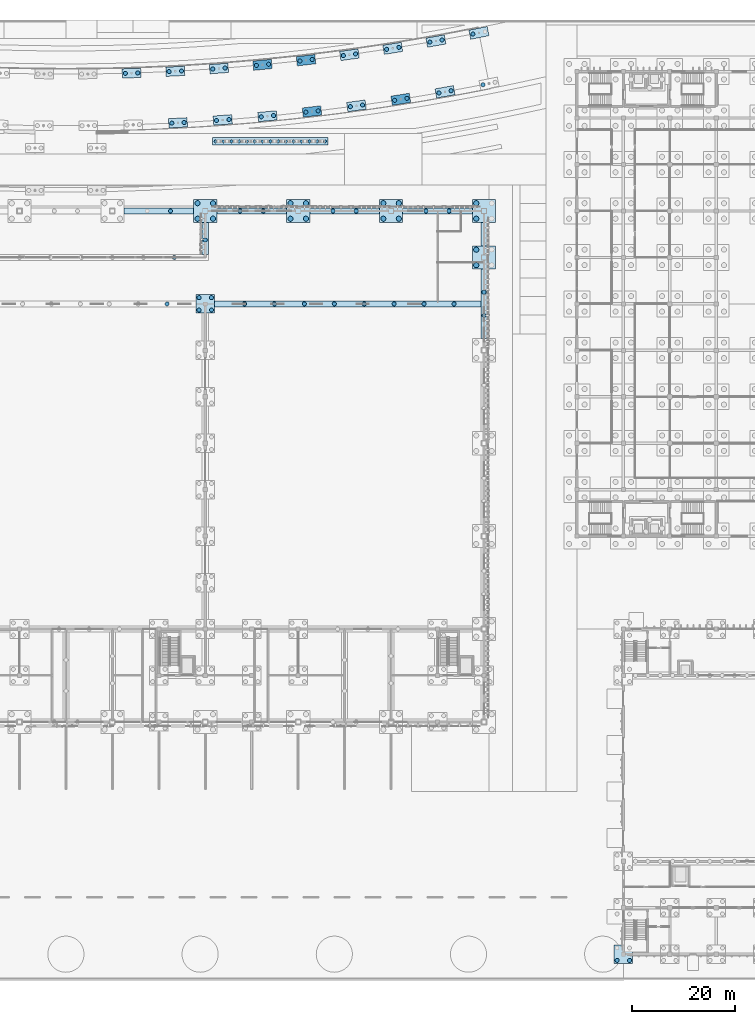
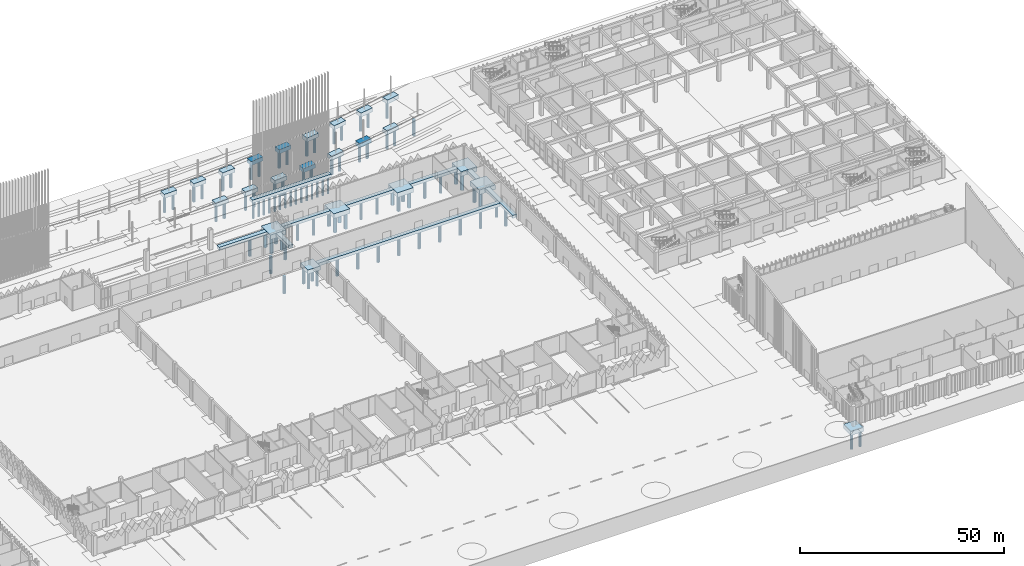
# One storey, part 12 of 198: 89 piles, 32 footings.
"""IFC4 building model written with IfcOpenShell, lengths in metres."""

from ifc_helpers import new_model, si_unit, direction, frame, origin, origin_2d, place, context, subcontext, project, spatial, polyline, circle, outline, extrude, material, layer, layer_set, material_profile, profile_set, type_object, element, save


model = new_model("IFC4")

# Units and contexts
model_context = context("Model", 3, precision=1e-05, world=origin(), true_north=direction((0.0, 1.0)))
body_context = subcontext(model_context, "Body", "Model", "MODEL_VIEW")
ifc_project = project(units=[si_unit("LENGTHUNIT", "METRE"), si_unit("AREAUNIT", "SQUARE_METRE"), si_unit("VOLUMEUNIT", "CUBIC_METRE"), si_unit("PLANEANGLEUNIT", "RADIAN"), si_unit("MASSUNIT", "GRAM", prefix="KILO")], contexts=[model_context])

# Site, building, storey
site_placement = place(None, origin())
site = spatial("IfcSite", under=ifc_project, at=site_placement, CompositionType="ELEMENT")
building_placement = place(site_placement, origin())
building = spatial("IfcBuilding", under=site, at=building_placement, Name="Opaline Strait Convention Centre", CompositionType="ELEMENT")
storey_placement = place(building_placement, origin())
storey = spatial("IfcBuildingStorey", under=building, at=storey_placement, Name="L00", CompositionType="ELEMENT", Elevation=0.0)

# Piles
ifc_material_1 = material(Name="Concrete C35", Category="concrete")
ifc_material_profile_1 = material_profile(ifc_material_1, circle(Radius=0.5, at=origin_2d()), Name="D1000")
ifc_profile_set_1 = profile_set([ifc_material_profile_1], Name="Concrete C35")
pile_type_1 = type_object("IfcPileType", Name="Bored pile D1000 C35", PredefinedType="BORED", material=ifc_profile_set_1)
for number, where, z_axis, x_axis, name in (
    (1, (205.5, 151.5, -1.300048828125), (0.0, 0.0, -1.0), (1.0, 0.0, 0.0), "Bored pile of cap 207/153"),
    (2, (205.5, 154.5, -1.300048828125), (0.0, 0.0, -1.0), (1.0, 0.0, 0.0), "Bored pile of cap 207/153"),
    (3, (208.5, 151.5, -1.300048828125), (0.0, 0.0, -1.0), (1.0, 0.0, 0.0), "Bored pile of cap 207/153"),
    (4, (208.5, 154.5, -1.300048828125), (0.0, 0.0, -1.0), (1.0, 0.0, 0.0), "Bored pile of cap 207/153"),
    (5, (223.5, 151.5, -1.300048828125), (0.0, 0.0, -1.0), (1.0, 0.0, 0.0), "Bored pile of cap 225/153"),
    (6, (223.5, 154.5, -1.300048828125), (0.0, 0.0, -1.0), (1.0, 0.0, 0.0), "Bored pile of cap 225/153"),
    (7, (226.5, 151.5, -1.300048828125), (0.0, 0.0, -1.0), (1.0, 0.0, 0.0), "Bored pile of cap 225/153"),
    (8, (226.5, 154.5, -1.300048828125), (0.0, 0.0, -1.0), (1.0, 0.0, 0.0), "Bored pile of cap 225/153"),
    (9, (241.5, 151.5, -1.300048828125), (0.0, 0.0, -1.0), (1.0, 0.0, 0.0), "Bored pile of cap 243/153"),
    (10, (241.5, 154.5, -1.300048828125), (0.0, 0.0, -1.0), (1.0, 0.0, 0.0), "Bored pile of cap 243/153"),
    (11, (244.5, 151.5, -1.300048828125), (0.0, 0.0, -1.0), (1.0, 0.0, 0.0), "Bored pile of cap 243/153"),
    (12, (244.5, 154.5, -1.300048828125), (0.0, 0.0, -1.0), (1.0, 0.0, 0.0), "Bored pile of cap 243/153"),
    (13, (259.5, 142.5, -1.300048828125), (0.0, 0.0, -1.0), (1.0, 0.0, 0.0), "Bored pile of cap 261/144"),
    (14, (259.5, 145.5, -1.300048828125), (0.0, 0.0, -1.0), (1.0, 0.0, 0.0), "Bored pile of cap 261/144"),
    (15, (259.5, 151.5, -1.300048828125), (0.0, 0.0, -1.0), (1.0, 0.0, 0.0), "Bored pile of cap 261/153"),
    (16, (259.5, 154.5, -1.300048828125), (0.0, 0.0, -1.0), (1.0, 0.0, 0.0), "Bored pile of cap 261/153"),
):
    element("IfcPile", number, at=place(storey_placement, frame(where, z_axis=z_axis, x_axis=x_axis)), inside=storey, type_object=pile_type_1, Name=name, PredefinedType="BORED", context=body_context, shape_type="SweptSolid", body=[
        extrude(circle(Radius=0.5, at=origin_2d()), origin(), (0.0, 0.0, 1.0), 4.699951171875),
    ])
ifc_material_profile_2 = material_profile(ifc_material_1, circle(Radius=0.300048828125, at=origin_2d()), Name="D600")
ifc_profile_set_2 = profile_set([ifc_material_profile_2], Name="Concrete C35")
pile_type_2 = type_object("IfcPileType", Name="Bored pile D600 L5.2 Concrete C35", PredefinedType="BORED", material=ifc_profile_set_2)
for number, where, z_axis, x_axis, name in (
    (17, (209.02001953125, 166.5, -0.800048828125), (0.0, 0.0, -1.0), (1.0, 0.0, 0.0), "Portal pile 1 of cap E"),
    (18, (210.531494140625, 166.5, -0.800048828125), (0.0, 0.0, -1.0), (1.0, 0.0, 0.0), "Portal pile 2 of cap E"),
    (19, (212.04296875, 166.5, -0.800048828125), (0.0, 0.0, -1.0), (1.0, 0.0, 0.0), "Portal pile 3 of cap E"),
    (20, (213.55419921875, 166.5, -0.800048828125), (0.0, 0.0, -1.0), (1.0, 0.0, 0.0), "Portal pile 4 of cap E"),
    (21, (215.065673828125, 166.5, -0.800048828125), (0.0, 0.0, -1.0), (1.0, 0.0, 0.0), "Portal pile 5 of cap E"),
    (22, (216.5771484375, 166.5, -0.800048828125), (0.0, 0.0, -1.0), (1.0, 0.0, 0.0), "Portal pile 6 of cap E"),
    (23, (218.088623046875, 166.5, -0.800048828125), (0.0, 0.0, -1.0), (1.0, 0.0, 0.0), "Portal pile 7 of cap E"),
    (24, (219.60009765625, 166.5, -0.800048828125), (0.0, 0.0, -1.0), (1.0, 0.0, 0.0), "Portal pile 8 of cap E"),
    (25, (221.111328125, 166.5, -0.800048828125), (0.0, 0.0, -1.0), (1.0, 0.0, 0.0), "Portal pile 9 of cap E"),
    (26, (222.622802734375, 166.5, -0.800048828125), (0.0, 0.0, -1.0), (1.0, 0.0, 0.0), "Portal pile 10 of cap E"),
    (27, (224.13427734375, 166.5, -0.800048828125), (0.0, 0.0, -1.0), (1.0, 0.0, 0.0), "Portal pile 11 of cap E"),
    (28, (225.645751953125, 166.5, -0.800048828125), (0.0, 0.0, -1.0), (1.0, 0.0, 0.0), "Portal pile 12 of cap E"),
    (29, (227.1572265625, 166.5, -0.800048828125), (0.0, 0.0, -1.0), (1.0, 0.0, 0.0), "Portal pile 13 of cap E"),
    (30, (228.66845703125, 166.5, -0.800048828125), (0.0, 0.0, -1.0), (1.0, 0.0, 0.0), "Portal pile 14 of cap E"),
    (31, (230.179931640625, 166.5, -0.800048828125), (0.0, 0.0, -1.0), (1.0, 0.0, 0.0), "Portal pile 15 of cap E"),
):
    element("IfcPile", number, at=place(storey_placement, frame(where, z_axis=z_axis, x_axis=x_axis)), inside=storey, type_object=pile_type_2, Name=name, PredefinedType="BORED", context=body_context, shape_type="SweptSolid", body=[
        extrude(circle(Radius=0.300048828125, at=origin_2d()), origin(), (0.0, 0.0, 1.0), 5.199951171875),
    ])
ifc_material_profile_3 = material_profile(ifc_material_1, circle(Radius=0.39990234375, at=origin_2d()), Name="D800")
ifc_profile_set_3 = profile_set([ifc_material_profile_3], Name="Concrete C35")
pile_type_3 = type_object("IfcPileType", Name="Bored pile D800 C35", PredefinedType="BORED", material=ifc_profile_set_3)
for number, where, z_axis, x_axis, name in (
    (32, (205.800048828125, 133.800048828125, -1.10009765625), (0.0, 0.0, -1.0), (1.0, 0.0, 0.0), "Bored pile of cap 207/135"),
    (33, (205.800048828125, 136.199951171875, -1.10009765625), (0.0, 0.0, -1.0), (1.0, 0.0, 0.0), "Bored pile of cap 207/135"),
    (34, (208.199951171875, 133.800048828125, -1.10009765625), (0.0, 0.0, -1.0), (1.0, 0.0, 0.0), "Bored pile of cap 207/135"),
    (35, (208.199951171875, 136.199951171875, -1.10009765625), (0.0, 0.0, -1.0), (1.0, 0.0, 0.0), "Bored pile of cap 207/135"),
):
    element("IfcPile", number, at=place(storey_placement, frame(where, z_axis=z_axis, x_axis=x_axis)), inside=storey, type_object=pile_type_3, Name=name, PredefinedType="BORED", context=body_context, shape_type="SweptSolid", body=[
        extrude(circle(Radius=0.39990234375, at=origin_2d()), origin(), (0.0, 0.0, 1.0), 4.89990234375),
    ])
for number, where, z_axis, x_axis, name in (
    (36, (200.25, 153.0, -0.800048828125), (0.0, 0.0, -1.0), (1.0, 0.0, 0.0), "Bored pile under pile cap beam 21"),
    (37, (213.75, 153.0, -0.800048828125), (0.0, 0.0, -1.0), (1.0, 0.0, 0.0), "Bored pile under pile cap beam 22"),
    (38, (218.25, 153.0, -0.800048828125), (0.0, 0.0, -1.0), (1.0, 0.0, 0.0), "Bored pile under pile cap beam 22"),
    (39, (231.75, 153.0, -0.800048828125), (0.0, 0.0, -1.0), (1.0, 0.0, 0.0), "Bored pile under pile cap beam 23"),
    (40, (236.25, 153.0, -0.800048828125), (0.0, 0.0, -1.0), (1.0, 0.0, 0.0), "Bored pile under pile cap beam 23"),
    (41, (249.75, 153.0, -0.800048828125), (0.0, 0.0, -1.0), (1.0, 0.0, 0.0), "Bored pile under pile cap beam 24"),
    (42, (254.25, 153.0, -0.800048828125), (0.0, 0.0, -1.0), (1.0, 0.0, 0.0), "Bored pile under pile cap beam 24"),
    (43, (261.0, 132.75, -0.800048828125), (0.0, 0.0, -1.0), (1.0, 0.0, 0.0), "Bored pile under pile cap beam 37"),
    (44, (261.0, 137.25, -0.800048828125), (0.0, 0.0, -1.0), (1.0, 0.0, 0.0), "Bored pile under pile cap beam 37"),
    (45, (199.60009765625, 135.0, -0.800048828125), (0.0, 0.0, -1.0), (1.0, 0.0, 0.0), "Bored pile under pile cap beam 66"),
    (46, (214.60009765625, 135.0, -0.800048828125), (0.0, 0.0, -1.0), (1.0, 0.0, 0.0), "Bored pile under pile cap beam 67"),
    (47, (220.39990234375, 135.0, -0.800048828125), (0.0, 0.0, -1.0), (1.0, 0.0, 0.0), "Bored pile under pile cap beam 67"),
    (48, (226.199951171875, 135.0, -0.800048828125), (0.0, 0.0, -1.0), (1.0, 0.0, 0.0), "Bored pile under pile cap beam 67"),
    (49, (232.0, 135.0, -0.800048828125), (0.0, 0.0, -1.0), (1.0, 0.0, 0.0), "Bored pile under pile cap beam 67"),
    (50, (237.800048828125, 135.0, -0.800048828125), (0.0, 0.0, -1.0), (1.0, 0.0, 0.0), "Bored pile under pile cap beam 67"),
    (51, (243.60009765625, 135.0, -0.800048828125), (0.0, 0.0, -1.0), (1.0, 0.0, 0.0), "Bored pile under pile cap beam 67"),
    (52, (249.39990234375, 135.0, -0.800048828125), (0.0, 0.0, -1.0), (1.0, 0.0, 0.0), "Bored pile under pile cap beam 67"),
    (53, (255.199951171875, 135.0, -0.800048828125), (0.0, 0.0, -1.0), (1.0, 0.0, 0.0), "Bored pile under pile cap beam 67"),
    (54, (201.0, 144.0, -0.800048828125), (0.0, 0.0, -1.0), (1.0, 0.0, 0.0), "Bored pile under pile cap beam 68"),
    (55, (207.0, 147.375, -0.800048828125), (0.0, 0.0, -1.0), (1.0, 0.0, 0.0), "Bored pile under pile cap beam 70"),
):
    element("IfcPile", number, at=place(storey_placement, frame(where, z_axis=z_axis, x_axis=x_axis)), inside=storey, type_object=pile_type_3, Name=name, PredefinedType="BORED", context=body_context, shape_type="SweptSolid", body=[
        extrude(circle(Radius=0.39990234375, at=origin_2d()), origin(), (0.0, 0.0, 1.0), 5.199951171875),
    ])
ifc_material_profile_4 = material_profile(ifc_material_1, circle(Radius=0.39990234375, at=origin_2d()), Name="D800")
ifc_profile_set_4 = profile_set([ifc_material_profile_4], Name="Concrete C35")
pile_type_4 = type_object("IfcPileType", Name="Bored pile D800 L4.6 C35", PredefinedType="BORED", material=ifc_profile_set_4)
for number, where, z_axis, x_axis, name in (
    (56, (286.800048828125, 7.800048828125, -1.39990234375), (0.0, 0.0, -1.0), (1.0, 0.0, 0.0), "BP1 pile 1 at 33/B"),
    (57, (289.199951171875, 7.800048828125, -1.39990234375), (0.0, 0.0, -1.0), (1.0, 0.0, 0.0), "BP1 pile 2 at 33/B"),
):
    element("IfcPile", number, at=place(storey_placement, frame(where, z_axis=z_axis, x_axis=x_axis)), inside=storey, type_object=pile_type_4, Name=name, PredefinedType="BORED", context=body_context, shape_type="SweptSolid", body=[
        extrude(circle(Radius=0.39990234375, at=origin_2d()), origin(), (0.0, 0.0, 1.0), 4.60009765625),
    ])
ifc_material_profile_5 = material_profile(ifc_material_1, circle(Radius=0.39990234375, at=origin_2d()), Name="D800")
ifc_profile_set_5 = profile_set([ifc_material_profile_5], Name="Concrete C35")
pile_type_5 = type_object("IfcPileType", Name="Bored pile D800 L4.9 C35", PredefinedType="BORED", material=ifc_profile_set_5)
for number, where, z_axis, x_axis, name in (
    (58, (200.51318359375, 170.011474609375, -1.10009765625), (0.0, 0.0, -1.0), (1.0, 0.0, 0.0), "Bored pile of arcade cap SC-I13"),
    (59, (202.90966796875, 170.138427734375, -1.10009765625), (0.0, 0.0, -1.0), (1.0, 0.0, 0.0), "Bored pile of arcade cap SC-I13"),
    (60, (209.185302734375, 170.537109375, -1.10009765625), (0.0, 0.0, -1.0), (1.0, 0.0, 0.0), "Bored pile of arcade cap SC-I14"),
    (61, (211.57861328125, 170.71435546875, -1.10009765625), (0.0, 0.0, -1.0), (1.0, 0.0, 0.0), "Bored pile of arcade cap SC-I14"),
    (62, (217.843994140625, 171.244873046875, -1.10009765625), (0.0, 0.0, -1.0), (1.0, 0.0, 0.0), "Bored pile of arcade cap SC-I15"),
    (63, (220.233154296875, 171.472412109375, -1.10009765625), (0.0, 0.0, -1.0), (1.0, 0.0, 0.0), "Bored pile of arcade cap SC-I15"),
    (64, (226.485107421875, 172.133544921875, -1.10009765625), (0.0, 0.0, -1.0), (1.0, 0.0, 0.0), "Bored pile of arcade cap SC-I16"),
    (65, (228.869140625, 172.410888671875, -1.10009765625), (0.0, 0.0, -1.0), (1.0, 0.0, 0.0), "Bored pile of arcade cap SC-I16"),
    (66, (235.10546875, 173.20166015625, -1.10009765625), (0.0, 0.0, -1.0), (1.0, 0.0, 0.0), "Bored pile of arcade cap SC-I17"),
    (67, (237.483154296875, 173.5283203125, -1.10009765625), (0.0, 0.0, -1.0), (1.0, 0.0, 0.0), "Bored pile of arcade cap SC-I17"),
    (68, (243.700927734375, 174.447265625, -1.10009765625), (0.0, 0.0, -1.0), (1.0, 0.0, 0.0), "Bored pile of arcade cap SC-I18"),
    (69, (246.0712890625, 174.822509765625, -1.10009765625), (0.0, 0.0, -1.0), (1.0, 0.0, 0.0), "Bored pile of arcade cap SC-I18"),
    (70, (252.268310546875, 175.8681640625, -1.10009765625), (0.0, 0.0, -1.0), (1.0, 0.0, 0.0), "Bored pile of arcade cap SC-I19"),
    (71, (254.630615234375, 176.291259765625, -1.10009765625), (0.0, 0.0, -1.0), (1.0, 0.0, 0.0), "Bored pile of arcade cap SC-I19"),
    (72, (260.803955078125, 177.4619140625, -1.10009765625), (0.0, 0.0, -1.0), (1.0, 0.0, 0.0), "Bored pile of arcade cap SC-I20"),
    (73, (191.513916015625, 179.6640625, -1.10009765625), (0.0, 0.0, -1.0), (1.0, 0.0, 0.0), "Bored pile of arcade cap SC-O12"),
    (74, (193.91259765625, 179.740234375, -1.10009765625), (0.0, 0.0, -1.0), (1.0, 0.0, 0.0), "Bored pile of arcade cap SC-O12"),
    (75, (199.984375, 179.997314453125, -1.10009765625), (0.0, 0.0, -1.0), (1.0, 0.0, 0.0), "Bored pile of arcade cap SC-O13"),
    (76, (202.380859375, 180.12451171875, -1.10009765625), (0.0, 0.0, -1.0), (1.0, 0.0, 0.0), "Bored pile of arcade cap SC-O13"),
    (77, (208.4462890625, 180.509521484375, -1.10009765625), (0.0, 0.0, -1.0), (1.0, 0.0, 0.0), "Bored pile of arcade cap SC-O14"),
    (78, (210.839599609375, 180.68701171875, -1.10009765625), (0.0, 0.0, -1.0), (1.0, 0.0, 0.0), "Bored pile of arcade cap SC-O14"),
    (79, (216.89599609375, 181.19970703125, -1.10009765625), (0.0, 0.0, -1.0), (1.0, 0.0, 0.0), "Bored pile of arcade cap SC-O15"),
    (80, (219.28515625, 181.427490234375, -1.10009765625), (0.0, 0.0, -1.0), (1.0, 0.0, 0.0), "Bored pile of arcade cap SC-O15"),
    (81, (225.330078125, 182.066650390625, -1.10009765625), (0.0, 0.0, -1.0), (1.0, 0.0, 0.0), "Bored pile of arcade cap SC-O16"),
    (82, (227.714111328125, 182.34375, -1.10009765625), (0.0, 0.0, -1.0), (1.0, 0.0, 0.0), "Bored pile of arcade cap SC-O16"),
    (83, (233.7451171875, 183.108642578125, -1.10009765625), (0.0, 0.0, -1.0), (1.0, 0.0, 0.0), "Bored pile of arcade cap SC-O17"),
    (84, (236.122802734375, 183.435302734375, -1.10009765625), (0.0, 0.0, -1.0), (1.0, 0.0, 0.0), "Bored pile of arcade cap SC-O17"),
    (85, (242.1376953125, 184.32421875, -1.10009765625), (0.0, 0.0, -1.0), (1.0, 0.0, 0.0), "Bored pile of arcade cap SC-O18"),
    (86, (244.508056640625, 184.699462890625, -1.10009765625), (0.0, 0.0, -1.0), (1.0, 0.0, 0.0), "Bored pile of arcade cap SC-O18"),
    (87, (250.50439453125, 185.711181640625, -1.10009765625), (0.0, 0.0, -1.0), (1.0, 0.0, 0.0), "Bored pile of arcade cap SC-O19"),
    (88, (252.86669921875, 186.134521484375, -1.10009765625), (0.0, 0.0, -1.0), (1.0, 0.0, 0.0), "Bored pile of arcade cap SC-O19"),
    (89, (258.8427734375, 187.267578125, -1.10009765625), (0.0, 0.0, -1.0), (1.0, 0.0, 0.0), "Bored pile of arcade cap SC-O20"),
):
    element("IfcPile", number, at=place(storey_placement, frame(where, z_axis=z_axis, x_axis=x_axis)), inside=storey, type_object=pile_type_5, Name=name, PredefinedType="BORED", context=body_context, shape_type="SweptSolid", body=[
        extrude(circle(Radius=0.39990234375, at=origin_2d()), origin(), (0.0, 0.0, 1.0), 4.89990234375),
    ])

# Footings
footing_type_1 = type_object("IfcFootingType", Name="Ground beam 1200 x 900 C35", PredefinedType="FOOTING_BEAM", material=ifc_material_1)
footing_1_placement = place(storey_placement, frame((0.0, 0.0, -0.89990234375)))
element("IfcFooting", 90, at=footing_1_placement, inside=storey, type_object=footing_type_1, Name="Ground beam 38 on the x = 261 line", PredefinedType="FOOTING_BEAM", context=body_context, shape_type="SweptSolid", body=[
    extrude(outline(polyline([(260.39990234375, 146.25), (261.60009765625, 146.25), (261.60009765625, 150.75), (260.39990234375, 150.75), (260.39990234375, 146.25)])), origin(), (0.0, 0.0, 1.0), 0.89990234375),
])
ifc_layer_1 = layer(ifc_material_1, 0.89990234375)
ifc_layer_set_1 = layer_set([ifc_layer_1], Name="Concrete C35")
footing_type_2 = type_object("IfcFootingType", Name="Pile cap 15 piles 900 Concrete C35", PredefinedType="PILE_CAP", material=ifc_layer_set_1)
footing_2_placement = place(storey_placement, frame((0.0, 0.0, -0.89990234375)))
element("IfcFooting", 91, at=footing_2_placement, inside=storey, type_object=footing_type_2, Name="Portal pile cap E", PredefinedType="PILE_CAP", context=body_context, shape_type="SweptSolid", body=[
    extrude(outline(polyline([(208.419921875, 165.800048828125), (230.780029296875, 165.800048828125), (230.780029296875, 167.199951171875), (208.419921875, 167.199951171875), (208.419921875, 165.800048828125)])), origin(), (0.0, 0.0, 1.0), 0.89990234375),
])
ifc_layer_2 = layer(ifc_material_1, 1.199951171875)
ifc_layer_set_2 = layer_set([ifc_layer_2], Name="Concrete C35")
footing_type_3 = type_object("IfcFootingType", Name="Pile cap 2x2 piles D800 3600x3600x1200 C35", PredefinedType="PILE_CAP", material=ifc_layer_set_2)
footing_3_placement = place(storey_placement, frame((0.0, 0.0, -1.5)))
element("IfcFooting", 92, at=footing_3_placement, inside=storey, type_object=footing_type_3, Name="BF1 pile cap at 33/B", PredefinedType="PILE_CAP", context=body_context, shape_type="SweptSolid", body=[
    extrude(outline(polyline([(286.199951171875, 7.199951171875), (289.800048828125, 7.199951171875), (289.800048828125, 10.800048828125), (286.199951171875, 10.800048828125), (286.199951171875, 7.199951171875)])), origin(), (0.0, 0.0, 1.0), 1.199951171875),
])
ifc_material_2 = material(Name="Concrete C40", Category="concrete")
ifc_layer_3 = layer(ifc_material_2, 1.199951171875)
ifc_layer_set_3 = layer_set([ifc_layer_3], Name="Concrete C40")
footing_type_4 = type_object("IfcFootingType", Name="Pile cap 3600 x 1800 x 1200 C40", PredefinedType="PILE_CAP", material=ifc_layer_set_3)
footing_4_placement = place(storey_placement, frame((0.0, 0.0, -1.199951171875)))
element("IfcFooting", 93, at=footing_4_placement, inside=storey, type_object=footing_type_4, Name="Arcade pile cap at SC-I13", PredefinedType="PILE_CAP", context=body_context, shape_type="SweptSolid", body=[
    extrude(outline(polyline([(199.96142578125, 169.0810546875), (203.556396484375, 169.271240234375), (203.461181640625, 171.06884765625), (199.8662109375, 170.87841796875), (199.96142578125, 169.0810546875)])), origin(), (0.0, 0.0, 1.0), 1.199951171875),
])
footing_5_placement = place(storey_placement, frame((0.0, 0.0, -1.199951171875)))
element("IfcFooting", 94, at=footing_5_placement, inside=storey, type_object=footing_type_4, Name="Arcade pile cap at SC-I14", PredefinedType="PILE_CAP", context=body_context, shape_type="SweptSolid", body=[
    extrude(outline(polyline([(208.6533203125, 169.59521484375), (212.243408203125, 169.861083984375), (212.110595703125, 171.65625), (208.520263671875, 171.39013671875), (208.6533203125, 169.59521484375)])), origin(), (0.0, 0.0, 1.0), 1.199951171875),
])
footing_6_placement = place(storey_placement, frame((0.0, 0.0, -1.199951171875)))
element("IfcFooting", 95, at=footing_6_placement, inside=storey, type_object=footing_type_4, Name="Arcade pile cap at SC-I15", PredefinedType="PILE_CAP", context=body_context, shape_type="SweptSolid", body=[
    extrude(outline(polyline([(217.331787109375, 170.2919921875), (220.915771484375, 170.63330078125), (220.7451171875, 172.42529296875), (217.161376953125, 172.083984375), (217.331787109375, 170.2919921875)])), origin(), (0.0, 0.0, 1.0), 1.199951171875),
])
footing_7_placement = place(storey_placement, frame((0.0, 0.0, -1.199951171875)))
element("IfcFooting", 96, at=footing_7_placement, inside=storey, type_object=footing_type_4, Name="Arcade pile cap at SC-I16", PredefinedType="PILE_CAP", context=body_context, shape_type="SweptSolid", body=[
    extrude(outline(polyline([(225.9931640625, 171.17041015625), (229.569091796875, 171.586181640625), (229.361083984375, 173.3740234375), (225.785400390625, 172.958251953125), (225.9931640625, 171.17041015625)])), origin(), (0.0, 0.0, 1.0), 1.199951171875),
])
footing_8_placement = place(storey_placement, frame((0.0, 0.0, -1.199951171875)))
element("IfcFooting", 97, at=footing_8_placement, inside=storey, type_object=footing_type_4, Name="Arcade pile cap at SC-I17", PredefinedType="PILE_CAP", context=body_context, shape_type="SweptSolid", body=[
    extrude(outline(polyline([(234.633544921875, 172.228515625), (238.199951171875, 172.718017578125), (237.955078125, 174.50146484375), (234.388671875, 174.01171875), (234.633544921875, 172.228515625)])), origin(), (0.0, 0.0, 1.0), 1.199951171875),
])
footing_9_placement = place(storey_placement, frame((0.0, 0.0, -1.199951171875)))
element("IfcFooting", 98, at=footing_9_placement, inside=storey, type_object=footing_type_4, Name="Arcade pile cap at SC-I18", PredefinedType="PILE_CAP", context=body_context, shape_type="SweptSolid", body=[
    extrude(outline(polyline([(243.2490234375, 173.464599609375), (246.8046875, 174.02734375), (246.5234375, 175.80517578125), (242.967529296875, 175.2421875), (243.2490234375, 173.464599609375)])), origin(), (0.0, 0.0, 1.0), 1.199951171875),
])
footing_10_placement = place(storey_placement, frame((0.0, 0.0, -1.199951171875)))
element("IfcFooting", 99, at=footing_10_placement, inside=storey, type_object=footing_type_4, Name="Arcade pile cap at SC-I19", PredefinedType="PILE_CAP", context=body_context, shape_type="SweptSolid", body=[
    extrude(outline(polyline([(251.83642578125, 174.876220703125), (255.3798828125, 175.51123046875), (255.0625, 177.283203125), (251.518798828125, 176.648193359375), (251.83642578125, 174.876220703125)])), origin(), (0.0, 0.0, 1.0), 1.199951171875),
])
footing_11_placement = place(storey_placement, frame((0.0, 0.0, -1.199951171875)))
element("IfcFooting", 100, at=footing_11_placement, inside=storey, type_object=footing_type_4, Name="Arcade pile cap at SC-O12", PredefinedType="PILE_CAP", context=body_context, shape_type="SweptSolid", body=[
    extrude(outline(polyline([(190.94287109375, 178.745361328125), (194.541015625, 178.859619140625), (194.48388671875, 180.65869140625), (190.885498046875, 180.54443359375), (190.94287109375, 178.745361328125)])), origin(), (0.0, 0.0, 1.0), 1.199951171875),
])
footing_12_placement = place(storey_placement, frame((0.0, 0.0, -1.199951171875)))
element("IfcFooting", 101, at=footing_12_placement, inside=storey, type_object=footing_type_4, Name="Arcade pile cap at SC-O13", PredefinedType="PILE_CAP", context=body_context, shape_type="SweptSolid", body=[
    extrude(outline(polyline([(199.4326171875, 179.06689453125), (203.027587890625, 179.25732421875), (202.9326171875, 181.0546875), (199.33740234375, 180.864501953125), (199.4326171875, 179.06689453125)])), origin(), (0.0, 0.0, 1.0), 1.199951171875),
])
footing_13_placement = place(storey_placement, frame((0.0, 0.0, -1.199951171875)))
element("IfcFooting", 102, at=footing_13_placement, inside=storey, type_object=footing_type_4, Name="Arcade pile cap at SC-O14", PredefinedType="PILE_CAP", context=body_context, shape_type="SweptSolid", body=[
    extrude(outline(polyline([(207.914306640625, 179.567626953125), (211.50439453125, 179.833740234375), (211.37158203125, 181.62890625), (207.78125, 181.36279296875), (207.914306640625, 179.567626953125)])), origin(), (0.0, 0.0, 1.0), 1.199951171875),
])
footing_14_placement = place(storey_placement, frame((0.0, 0.0, -1.199951171875)))
element("IfcFooting", 103, at=footing_14_placement, inside=storey, type_object=footing_type_4, Name="Arcade pile cap at SC-O15", PredefinedType="PILE_CAP", context=body_context, shape_type="SweptSolid", body=[
    extrude(outline(polyline([(216.3837890625, 180.2470703125), (219.9677734375, 180.58837890625), (219.797119140625, 182.380126953125), (216.21337890625, 182.038818359375), (216.3837890625, 180.2470703125)])), origin(), (0.0, 0.0, 1.0), 1.199951171875),
])
footing_15_placement = place(storey_placement, frame((0.0, 0.0, -1.199951171875)))
element("IfcFooting", 104, at=footing_15_placement, inside=storey, type_object=footing_type_4, Name="Arcade pile cap at SC-O16", PredefinedType="PILE_CAP", context=body_context, shape_type="SweptSolid", body=[
    extrude(outline(polyline([(224.837890625, 181.103271484375), (228.413818359375, 181.519287109375), (228.2060546875, 183.30712890625), (224.630126953125, 182.89111328125), (224.837890625, 181.103271484375)])), origin(), (0.0, 0.0, 1.0), 1.199951171875),
])
footing_16_placement = place(storey_placement, frame((0.0, 0.0, -1.199951171875)))
element("IfcFooting", 105, at=footing_16_placement, inside=storey, type_object=footing_type_4, Name="Arcade pile cap at SC-O17", PredefinedType="PILE_CAP", context=body_context, shape_type="SweptSolid", body=[
    extrude(outline(polyline([(233.273193359375, 182.135498046875), (236.839599609375, 182.625), (236.5947265625, 184.408447265625), (233.0283203125, 183.918701171875), (233.273193359375, 182.135498046875)])), origin(), (0.0, 0.0, 1.0), 1.199951171875),
])
footing_17_placement = place(storey_placement, frame((0.0, 0.0, -1.199951171875)))
element("IfcFooting", 106, at=footing_17_placement, inside=storey, type_object=footing_type_4, Name="Arcade pile cap at SC-O18", PredefinedType="PILE_CAP", context=body_context, shape_type="SweptSolid", body=[
    extrude(outline(polyline([(241.685546875, 183.341552734375), (245.241455078125, 183.904296875), (244.9599609375, 185.68212890625), (241.404296875, 185.119384765625), (241.685546875, 183.341552734375)])), origin(), (0.0, 0.0, 1.0), 1.199951171875),
])
footing_18_placement = place(storey_placement, frame((0.0, 0.0, -1.199951171875)))
element("IfcFooting", 107, at=footing_18_placement, inside=storey, type_object=footing_type_4, Name="Arcade pile cap at SC-O19", PredefinedType="PILE_CAP", context=body_context, shape_type="SweptSolid", body=[
    extrude(outline(polyline([(250.072509765625, 184.719482421875), (253.6162109375, 185.3544921875), (253.298583984375, 187.126220703125), (249.755126953125, 186.4912109375), (250.072509765625, 184.719482421875)])), origin(), (0.0, 0.0, 1.0), 1.199951171875),
])
footing_19_placement = place(storey_placement, frame((0.0, 0.0, -1.199951171875)))
element("IfcFooting", 108, at=footing_19_placement, inside=storey, type_object=footing_type_4, Name="Arcade pile cap at SC-O20", PredefinedType="PILE_CAP", context=body_context, shape_type="SweptSolid", body=[
    extrude(outline(polyline([(258.430908203125, 186.267333984375), (261.9609375, 186.973388671875), (261.60791015625, 188.73828125), (258.077880859375, 188.032470703125), (258.430908203125, 186.267333984375)])), origin(), (0.0, 0.0, 1.0), 1.199951171875),
])
ifc_layer_4 = layer(ifc_material_2, 1.199951171875)
ifc_layer_set_4 = layer_set([ifc_layer_4], Name="Concrete C40")
footing_type_5 = type_object("IfcFootingType", Name="Pile cap 3600 x 3600 x 1200 C40", PredefinedType="PILE_CAP", material=ifc_layer_set_4)
footing_20_placement = place(storey_placement, frame((0.0, 0.0, -1.199951171875)))
element("IfcFooting", 109, at=footing_20_placement, inside=storey, type_object=footing_type_5, Name="Column pile cap at 207/135", PredefinedType="PILE_CAP", context=body_context, shape_type="SweptSolid", body=[
    extrude(outline(polyline([(205.199951171875, 133.199951171875), (208.800048828125, 133.199951171875), (208.800048828125, 136.800048828125), (205.199951171875, 136.800048828125), (205.199951171875, 133.199951171875)])), origin(), (0.0, 0.0, 1.0), 1.199951171875),
])
ifc_layer_5 = layer(ifc_material_2, 1.39990234375)
ifc_layer_set_5 = layer_set([ifc_layer_5], Name="Concrete C40")
footing_type_6 = type_object("IfcFootingType", Name="Pile cap 4500 x 4500 x 1400 C40", PredefinedType="PILE_CAP", material=ifc_layer_set_5)
footing_21_placement = place(storey_placement, frame((0.0, 0.0, -1.39990234375)))
element("IfcFooting", 110, at=footing_21_placement, inside=storey, type_object=footing_type_6, Name="Roof column pile cap at 207/153", PredefinedType="PILE_CAP", context=body_context, shape_type="SweptSolid", body=[
    extrude(outline(polyline([(204.75, 150.75), (209.25, 150.75), (209.25, 155.25), (204.75, 155.25), (204.75, 150.75)])), origin(), (0.0, 0.0, 1.0), 1.39990234375),
])
footing_22_placement = place(storey_placement, frame((0.0, 0.0, -1.39990234375)))
element("IfcFooting", 111, at=footing_22_placement, inside=storey, type_object=footing_type_6, Name="Roof column pile cap at 225/153", PredefinedType="PILE_CAP", context=body_context, shape_type="SweptSolid", body=[
    extrude(outline(polyline([(222.75, 150.75), (227.25, 150.75), (227.25, 155.25), (222.75, 155.25), (222.75, 150.75)])), origin(), (0.0, 0.0, 1.0), 1.39990234375),
])
footing_23_placement = place(storey_placement, frame((0.0, 0.0, -1.39990234375)))
element("IfcFooting", 112, at=footing_23_placement, inside=storey, type_object=footing_type_6, Name="Roof column pile cap at 243/153", PredefinedType="PILE_CAP", context=body_context, shape_type="SweptSolid", body=[
    extrude(outline(polyline([(240.75, 150.75), (245.25, 150.75), (245.25, 155.25), (240.75, 155.25), (240.75, 150.75)])), origin(), (0.0, 0.0, 1.0), 1.39990234375),
])
footing_24_placement = place(storey_placement, frame((0.0, 0.0, -1.39990234375)))
element("IfcFooting", 113, at=footing_24_placement, inside=storey, type_object=footing_type_6, Name="Roof column pile cap at 261/144", PredefinedType="PILE_CAP", context=body_context, shape_type="SweptSolid", body=[
    extrude(outline(polyline([(258.75, 141.75), (263.25, 141.75), (263.25, 146.25), (258.75, 146.25), (258.75, 141.75)])), origin(), (0.0, 0.0, 1.0), 1.39990234375),
])
footing_25_placement = place(storey_placement, frame((0.0, 0.0, -1.39990234375)))
element("IfcFooting", 114, at=footing_25_placement, inside=storey, type_object=footing_type_6, Name="Roof column pile cap at 261/153", PredefinedType="PILE_CAP", context=body_context, shape_type="SweptSolid", body=[
    extrude(outline(polyline([(258.75, 150.75), (263.25, 150.75), (263.25, 155.25), (258.75, 155.25), (258.75, 150.75)])), origin(), (0.0, 0.0, 1.0), 1.39990234375),
])
footing_type_7 = type_object("IfcFootingType", Name="Pile cap beam 1200 x 900 C40", PredefinedType="PILE_CAP", material=ifc_material_2)
footing_26_placement = place(storey_placement, frame((0.0, 0.0, -0.89990234375)))
element("IfcFooting", 115, at=footing_26_placement, inside=storey, type_object=footing_type_7, Name="Pile cap beam 21 on the y = 153 line", PredefinedType="PILE_CAP", context=body_context, shape_type="SweptSolid", body=[
    extrude(outline(polyline([(191.25, 152.39990234375), (204.75, 152.39990234375), (204.75, 153.60009765625), (191.25, 153.60009765625), (191.25, 152.39990234375)])), origin(), (0.0, 0.0, 1.0), 0.89990234375),
])
footing_27_placement = place(storey_placement, frame((0.0, 0.0, -0.89990234375)))
element("IfcFooting", 116, at=footing_27_placement, inside=storey, type_object=footing_type_7, Name="Pile cap beam 22 on the y = 153 line", PredefinedType="PILE_CAP", context=body_context, shape_type="SweptSolid", body=[
    extrude(outline(polyline([(209.25, 152.39990234375), (222.75, 152.39990234375), (222.75, 153.60009765625), (209.25, 153.60009765625), (209.25, 152.39990234375)])), origin(), (0.0, 0.0, 1.0), 0.89990234375),
])
footing_28_placement = place(storey_placement, frame((0.0, 0.0, -0.89990234375)))
element("IfcFooting", 117, at=footing_28_placement, inside=storey, type_object=footing_type_7, Name="Pile cap beam 23 on the y = 153 line", PredefinedType="PILE_CAP", context=body_context, shape_type="SweptSolid", body=[
    extrude(outline(polyline([(227.25, 152.39990234375), (240.75, 152.39990234375), (240.75, 153.60009765625), (227.25, 153.60009765625), (227.25, 152.39990234375)])), origin(), (0.0, 0.0, 1.0), 0.89990234375),
])
footing_29_placement = place(storey_placement, frame((0.0, 0.0, -0.89990234375)))
element("IfcFooting", 118, at=footing_29_placement, inside=storey, type_object=footing_type_7, Name="Pile cap beam 24 on the y = 153 line", PredefinedType="PILE_CAP", context=body_context, shape_type="SweptSolid", body=[
    extrude(outline(polyline([(245.25, 152.39990234375), (258.75, 152.39990234375), (258.75, 153.60009765625), (245.25, 153.60009765625), (245.25, 152.39990234375)])), origin(), (0.0, 0.0, 1.0), 0.89990234375),
])
footing_30_placement = place(storey_placement, frame((0.0, 0.0, -0.89990234375)))
element("IfcFooting", 119, at=footing_30_placement, inside=storey, type_object=footing_type_7, Name="Pile cap beam 37 on the x = 261 line", PredefinedType="PILE_CAP", context=body_context, shape_type="SweptSolid", body=[
    extrude(outline(polyline([(260.39990234375, 128.25), (261.60009765625, 128.25), (261.60009765625, 141.75), (260.39990234375, 141.75), (260.39990234375, 128.25)])), origin(), (0.0, 0.0, 1.0), 0.89990234375),
])
footing_31_placement = place(storey_placement, frame((0.0, 0.0, -0.89990234375)))
element("IfcFooting", 120, at=footing_31_placement, inside=storey, type_object=footing_type_7, Name="Pile cap beam 67 on the y = 135 line", PredefinedType="PILE_CAP", context=body_context, shape_type="SweptSolid", body=[
    extrude(outline(polyline([(208.800048828125, 134.39990234375), (260.39990234375, 134.39990234375), (260.39990234375, 135.60009765625), (208.800048828125, 135.60009765625), (208.800048828125, 134.39990234375)])), origin(), (0.0, 0.0, 1.0), 0.89990234375),
])
footing_32_placement = place(storey_placement, frame((0.0, 0.0, -0.89990234375)))
element("IfcFooting", 121, at=footing_32_placement, inside=storey, type_object=footing_type_7, Name="Pile cap beam 70 on the x = 207 line", PredefinedType="PILE_CAP", context=body_context, shape_type="SweptSolid", body=[
    extrude(outline(polyline([(206.39990234375, 144.60009765625), (207.60009765625, 144.60009765625), (207.60009765625, 150.75), (206.39990234375, 150.75), (206.39990234375, 144.60009765625)])), origin(), (0.0, 0.0, 1.0), 0.89990234375),
])

save(model, "model.ifc")
